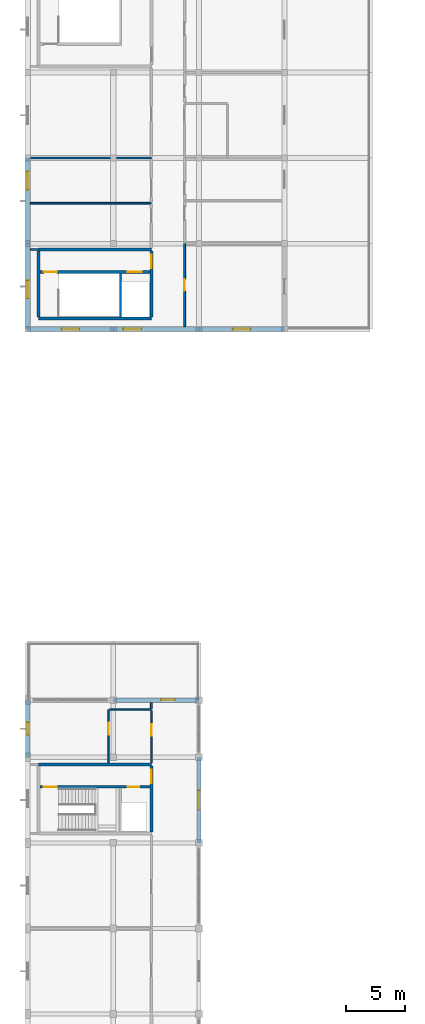
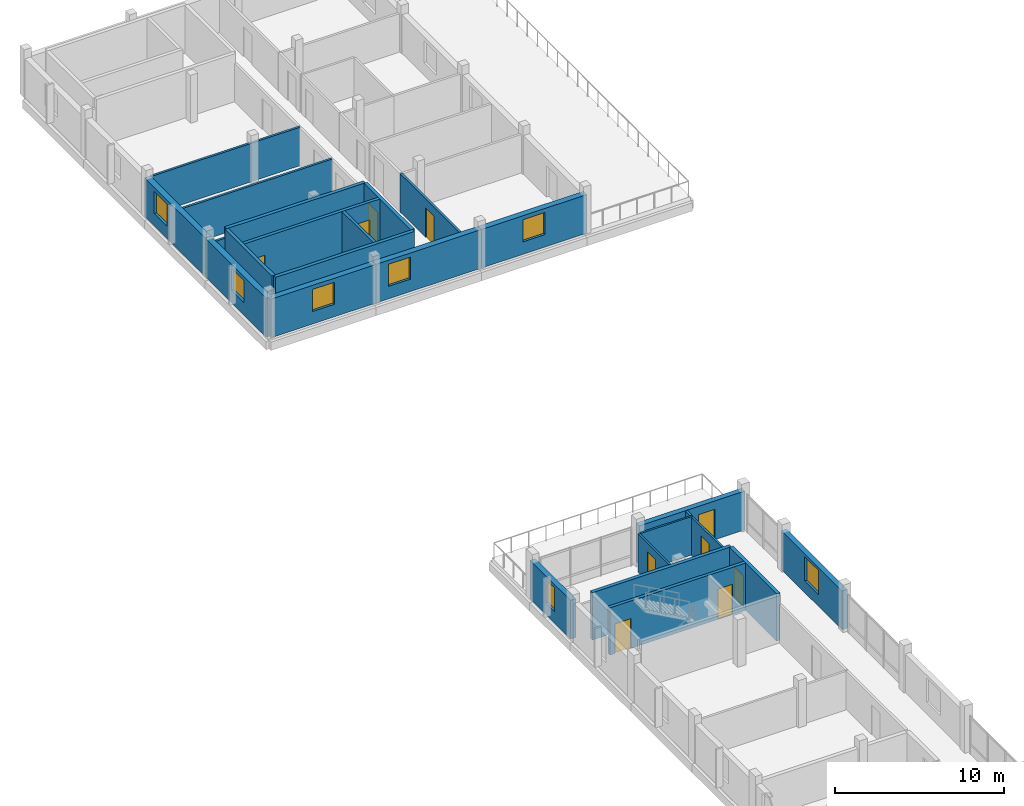
# One storey, part 56 of 66: 25 walls, 10 doors, 7 windows, 17 openings.
"""IFC4 building model written with IfcOpenShell, lengths in metres."""

from ifc_helpers import new_model, si_unit, direction, frame, frame_2d, origin, place, context, subcontext, project, spatial, rectangle, extrude, material, layer, layer_set, type_object, element, fill, save


model = new_model("IFC4")

# Units and contexts
model_context = context("Model", 3, precision=1e-05, world=origin(), true_north=direction((0.0, 1.0)))
body_context = subcontext(model_context, "Body", "Model", "MODEL_VIEW")
ifc_project = project(units=[si_unit("LENGTHUNIT", "METRE"), si_unit("AREAUNIT", "SQUARE_METRE"), si_unit("VOLUMEUNIT", "CUBIC_METRE"), si_unit("PLANEANGLEUNIT", "RADIAN"), si_unit("MASSUNIT", "GRAM", prefix="KILO")], contexts=[model_context])

# Site, building, storey
site_placement = place(None, origin())
site = spatial("IfcSite", under=ifc_project, at=site_placement, CompositionType="ELEMENT")
building_placement = place(site_placement, origin())
building = spatial("IfcBuilding", under=site, at=building_placement, Name="Zornivar Specialist Clinic", CompositionType="ELEMENT")
storey_placement = place(building_placement, frame((0.0, 0.0, 16.0)))
storey = spatial("IfcBuildingStorey", under=building, at=storey_placement, Name="L04", CompositionType="ELEMENT", Elevation=16.0)

# Wall, opening, window
ifc_material_1 = material(Name="Masonry Red-Ochre Brick and Stone Insulated Wall", Category="masonry")
ifc_layer_1 = layer(ifc_material_1, 0.360107421875)
ifc_layer_set_1 = layer_set([ifc_layer_1], Name="Masonry Red-Ochre Brick and Stone Insulated Wall")
wall_type_1 = type_object("IfcWallType", Name="EW-BRICK-360", PredefinedType="SOLIDWALL", material=ifc_layer_set_1)
wall_1_placement = place(storey_placement, frame((14.39990234375, 36.0, 0.0), z_axis=(0.0, 0.0, 1.0), x_axis=(0.0, 1.0, 0.0)))
wall_1 = element("IfcWall", 1, at=wall_1_placement, inside=storey, type_object=wall_type_1, Name="ew:V2:L04:15", PredefinedType="SOLIDWALL", context=body_context, shape_type="SweptSolid", body=[
    extrude(rectangle(XDim=7.199951171875, YDim=0.360107421875, at=frame_2d((3.60009765625, 0.0))), origin(), (0.0, 0.0, 1.0), 2.800048828125),
])
opening_1_placement = place(wall_1_placement, frame((2.77490234375, 0.0, 0.85009765625)))
opening_1 = element("IfcOpeningElement", 2, at=opening_1_placement, cuts=wall_1, Name="Opening W-09", PredefinedType="OPENING", context=body_context, shape_type="SweptSolid", body=[
    extrude(rectangle(XDim=1.64990234375, YDim=1.75, at=frame_2d((0.824951171875, 0.875))), frame((0.0, 0.18994140625, 0.0), z_axis=(0.0, -1.0, 0.0), x_axis=(1.0, 0.0, 0.0)), (0.0, 0.0, 1.0), 0.380126953125),
])
ifc_material_2 = material(Name="Triple-Glazed Aluminium-Timber Window Glass", Category="wood")
window_type_1 = type_object("IfcWindowType", Name="WIN-CUMBA-COURT-1650x1750", PartitioningType="SINGLE_PANEL", PredefinedType="WINDOW", material=ifc_material_2)
window_1_placement = place(opening_1_placement, origin())
window_1 = element("IfcWindow", 3, at=window_1_placement, inside=storey, type_object=window_type_1, Name="win:V2:L04:15", OverallHeight=1.75, OverallWidth=1.64990234375, PartitioningType="SINGLE_PANEL", PredefinedType="WINDOW", context=body_context, shape_type="SweptSolid", body=[
    extrude(rectangle(XDim=1.64990234375, YDim=1.75, at=frame_2d((0.824951171875, 0.875))), frame((0.0, 0.030029296875, 0.0), z_axis=(0.0, -1.0, 0.0), x_axis=(1.0, 0.0, 0.0)), (0.0, 0.0, 1.0), 0.06005859375),
])
fill(opening_1, window_1)

# Wall, opening, door
wall_2_placement = place(storey_placement, frame((14.39990234375, 48.0, 0.0), z_axis=(0.0, 0.0, 1.0), x_axis=(-1.0, 0.0, 0.0)))
wall_2 = element("IfcWall", 4, at=wall_2_placement, inside=storey, type_object=wall_type_1, Name="ew:V2:L04:17", PredefinedType="SOLIDWALL", context=body_context, shape_type="SweptSolid", body=[
    extrude(rectangle(XDim=7.199951171875, YDim=0.360107421875, at=frame_2d((3.60009765625, 0.0))), origin(), (0.0, 0.0, 1.0), 2.800048828125),
])
opening_2_placement = place(wall_2_placement, frame((2.02490234375, 0.0, 0.0)))
opening_2 = element("IfcOpeningElement", 5, at=opening_2_placement, cuts=wall_2, Name="Opening TD-03", PredefinedType="OPENING", context=body_context, shape_type="SweptSolid", body=[
    extrude(rectangle(XDim=1.14990234375, YDim=2.199951171875, at=frame_2d((0.574951171875, 1.10009765625))), frame((0.0, 0.18994140625, 0.0), z_axis=(0.0, -1.0, 0.0), x_axis=(1.0, 0.0, 0.0)), (0.0, 0.0, 1.0), 0.380126953125),
])
ifc_material_3 = material(Name="Thermally Broken Glazed Aluminium Door", Category="aluminium")
door_type_1 = type_object("IfcDoorType", Name="TD-TERR-1150x2200", OperationType="NOTDEFINED", PredefinedType="DOOR", material=ifc_material_3)
door_1_placement = place(opening_2_placement, origin())
door_1 = element("IfcDoor", 6, at=door_1_placement, inside=storey, type_object=door_type_1, Name="door:V2:L04:terr:0", OperationType="SINGLE_SWING_LEFT", OverallHeight=2.199951171875, OverallWidth=1.14990234375, PredefinedType="DOOR", context=body_context, shape_type="SweptSolid", body=[
    extrude(rectangle(XDim=1.14990234375, YDim=2.199951171875, at=frame_2d((0.574951171875, 1.10009765625))), frame((0.0, 0.02490234375, 0.0), z_axis=(0.0, -1.0, 0.0), x_axis=(1.0, 0.0, 0.0)), (0.0, 0.0, 1.0), 0.050048828125),
])
fill(opening_2, door_1)

# Wall, opening, window
wall_3_placement = place(storey_placement, frame((0.0, 48.0, 0.0), z_axis=(0.0, 0.0, 1.0), x_axis=(0.0, -1.0, 0.0)))
wall_3 = element("IfcWall", 7, at=wall_3_placement, inside=storey, type_object=wall_type_1, Name="ew:V2:L04:19", PredefinedType="SOLIDWALL", context=body_context, shape_type="SweptSolid", body=[
    extrude(rectangle(XDim=4.800048828125, YDim=0.360107421875, at=frame_2d((2.39990234375, 0.0))), origin(), (0.0, 0.0, 1.0), 2.800048828125),
])
opening_3_placement = place(wall_3_placement, frame((1.875, 0.0, 0.85009765625)))
opening_3 = element("IfcOpeningElement", 8, at=opening_3_placement, cuts=wall_3, Name="Opening W-10", PredefinedType="OPENING", context=body_context, shape_type="SweptSolid", body=[
    extrude(rectangle(XDim=1.050048828125, YDim=1.699951171875, at=frame_2d((0.52490234375, 0.85009765625))), frame((0.0, 0.18994140625, 0.0), z_axis=(0.0, -1.0, 0.0), x_axis=(1.0, 0.0, 0.0)), (0.0, 0.0, 1.0), 0.380126953125),
])
ifc_material_4 = material(Name="Triple-Glazed Aluminium-Timber Window Glass", Category="wood")
window_type_2 = type_object("IfcWindowType", Name="WIN-CUMBA-PIER-1050x1700", PartitioningType="SINGLE_PANEL", PredefinedType="WINDOW", material=ifc_material_4)
window_2_placement = place(opening_3_placement, origin())
window_2 = element("IfcWindow", 9, at=window_2_placement, inside=storey, type_object=window_type_2, Name="win:V2:L04:19", OverallHeight=1.699951171875, OverallWidth=1.050048828125, PartitioningType="SINGLE_PANEL", PredefinedType="WINDOW", context=body_context, shape_type="SweptSolid", body=[
    extrude(rectangle(XDim=1.050048828125, YDim=1.699951171875, at=frame_2d((0.52490234375, 0.85009765625))), frame((0.0, 0.030029296875, 0.0), z_axis=(0.0, -1.0, 0.0), x_axis=(1.0, 0.0, 0.0)), (0.0, 0.0, 1.0), 0.06005859375),
])
fill(opening_3, window_2)

ifc_material_5 = material(Name="Masonry Hygienic Insulated Procedure Wing Wall", Category="masonry")
ifc_layer_2 = layer(ifc_material_5, 0.39990234375)
ifc_layer_set_2 = layer_set([ifc_layer_2], Name="Masonry Hygienic Insulated Procedure Wing Wall")
wall_type_2 = type_object("IfcWallType", Name="EW-PROC-400", PredefinedType="SOLIDWALL", material=ifc_layer_set_2)
wall_4_placement = place(storey_placement, frame((0.0, 79.199951171875, 0.0), z_axis=(0.0, 0.0, 1.0), x_axis=(1.0, 0.0, 0.0)))
wall_4 = element("IfcWall", 10, at=wall_4_placement, inside=storey, type_object=wall_type_2, Name="ew:V5:L04:00", PredefinedType="SOLIDWALL", context=body_context, shape_type="SweptSolid", body=[
    extrude(rectangle(XDim=7.199951171875, YDim=0.39990234375, at=frame_2d((3.60009765625, 0.0))), origin(), (0.0, 0.0, 1.0), 2.7900390625),
])
opening_4_placement = place(wall_4_placement, frame((2.85009765625, 0.0, 0.89990234375)))
opening_4 = element("IfcOpeningElement", 11, at=opening_4_placement, cuts=wall_4, Name="Opening W-18", PredefinedType="OPENING", context=body_context, shape_type="SweptSolid", body=[
    extrude(rectangle(XDim=1.5, YDim=1.60009765625, at=frame_2d((0.75, 0.800048828125))), frame((0.0, 0.2099609375, 0.0), z_axis=(0.0, -1.0, 0.0), x_axis=(1.0, 0.0, 0.0)), (0.0, 0.0, 1.0), 0.419921875),
])
ifc_material_6 = material(Name="Triple-Glazed Aluminium-Timber Window Glass", Category="wood")
window_type_3 = type_object("IfcWindowType", Name="WIN-PROC-UPPER-1500x1600", PartitioningType="SINGLE_PANEL", PredefinedType="WINDOW", material=ifc_material_6)
window_3_placement = place(opening_4_placement, origin())
window_3 = element("IfcWindow", 12, at=window_3_placement, inside=storey, type_object=window_type_3, Name="win:V5:L04:00", OverallHeight=1.60009765625, OverallWidth=1.5, PartitioningType="SINGLE_PANEL", PredefinedType="WINDOW", context=body_context, shape_type="SweptSolid", body=[
    extrude(rectangle(XDim=1.5, YDim=1.60009765625, at=frame_2d((0.75, 0.800048828125))), frame((0.0, 0.030029296875, 0.0), z_axis=(0.0, -1.0, 0.0), x_axis=(1.0, 0.0, 0.0)), (0.0, 0.0, 1.0), 0.06005859375),
])
fill(opening_4, window_3)

wall_5_placement = place(storey_placement, frame((7.199951171875, 79.199951171875, 0.0), z_axis=(0.0, 0.0, 1.0), x_axis=(1.0, 0.0, 0.0)))
wall_5 = element("IfcWall", 13, at=wall_5_placement, inside=storey, type_object=wall_type_2, Name="ew:V5:L04:01", PredefinedType="SOLIDWALL", context=body_context, shape_type="SweptSolid", body=[
    extrude(rectangle(XDim=7.199951171875, YDim=0.39990234375, at=frame_2d((3.60009765625, 0.0))), origin(), (0.0, 0.0, 1.0), 2.7900390625),
])
opening_5_placement = place(wall_5_placement, frame((0.85009765625, 0.0, 0.89990234375)))
opening_5 = element("IfcOpeningElement", 14, at=opening_5_placement, cuts=wall_5, Name="Opening W-18", PredefinedType="OPENING", context=body_context, shape_type="SweptSolid", body=[
    extrude(rectangle(XDim=1.5, YDim=1.60009765625, at=frame_2d((0.75, 0.800048828125))), frame((0.0, 0.2099609375, 0.0), z_axis=(0.0, -1.0, 0.0), x_axis=(1.0, 0.0, 0.0)), (0.0, 0.0, 1.0), 0.419921875),
])
window_4_placement = place(opening_5_placement, origin())
window_4 = element("IfcWindow", 15, at=window_4_placement, inside=storey, type_object=window_type_3, Name="win:V5:L04:01", OverallHeight=1.60009765625, OverallWidth=1.5, PartitioningType="SINGLE_PANEL", PredefinedType="WINDOW", context=body_context, shape_type="SweptSolid", body=[
    extrude(rectangle(XDim=1.5, YDim=1.60009765625, at=frame_2d((0.75, 0.800048828125))), frame((0.0, 0.030029296875, 0.0), z_axis=(0.0, -1.0, 0.0), x_axis=(1.0, 0.0, 0.0)), (0.0, 0.0, 1.0), 0.06005859375),
])
fill(opening_5, window_4)

wall_6_placement = place(storey_placement, frame((14.39990234375, 79.199951171875, 0.0), z_axis=(0.0, 0.0, 1.0), x_axis=(1.0, 0.0, 0.0)))
wall_6 = element("IfcWall", 16, at=wall_6_placement, inside=storey, type_object=wall_type_2, Name="ew:V5:L04:02", PredefinedType="SOLIDWALL", context=body_context, shape_type="SweptSolid", body=[
    extrude(rectangle(XDim=7.2001953125, YDim=0.39990234375, at=frame_2d((3.60009765625, 0.0))), origin(), (0.0, 0.0, 1.0), 2.7900390625),
])
opening_6_placement = place(wall_6_placement, frame((2.85009765625, 0.0, 0.89990234375)))
opening_6 = element("IfcOpeningElement", 17, at=opening_6_placement, cuts=wall_6, Name="Opening W-18", PredefinedType="OPENING", context=body_context, shape_type="SweptSolid", body=[
    extrude(rectangle(XDim=1.5, YDim=1.60009765625, at=frame_2d((0.75, 0.800048828125))), frame((0.0, 0.2099609375, 0.0), z_axis=(0.0, -1.0, 0.0), x_axis=(1.0, 0.0, 0.0)), (0.0, 0.0, 1.0), 0.419921875),
])
window_5_placement = place(opening_6_placement, origin())
window_5 = element("IfcWindow", 18, at=window_5_placement, inside=storey, type_object=window_type_3, Name="win:V5:L04:02", OverallHeight=1.60009765625, OverallWidth=1.5, PartitioningType="SINGLE_PANEL", PredefinedType="WINDOW", context=body_context, shape_type="SweptSolid", body=[
    extrude(rectangle(XDim=1.5, YDim=1.60009765625, at=frame_2d((0.75, 0.800048828125))), frame((0.0, 0.030029296875, 0.0), z_axis=(0.0, -1.0, 0.0), x_axis=(1.0, 0.0, 0.0)), (0.0, 0.0, 1.0), 0.06005859375),
])
fill(opening_6, window_5)

wall_7_placement = place(storey_placement, frame((0.0, 93.60009765625, 0.0), z_axis=(0.0, 0.0, 1.0), x_axis=(0.0, -1.0, 0.0)))
wall_7 = element("IfcWall", 19, at=wall_7_placement, inside=storey, type_object=wall_type_2, Name="ew:V5:L04:12", PredefinedType="SOLIDWALL", context=body_context, shape_type="SweptSolid", body=[
    extrude(rectangle(XDim=7.2001953125, YDim=0.39990234375, at=frame_2d((3.60009765625, 0.0))), origin(), (0.0, 0.0, 1.0), 2.7900390625),
])
opening_7_placement = place(wall_7_placement, frame((1.14990234375, 0.0, 0.89990234375)))
opening_7 = element("IfcOpeningElement", 20, at=opening_7_placement, cuts=wall_7, Name="Opening W-18", PredefinedType="OPENING", context=body_context, shape_type="SweptSolid", body=[
    extrude(rectangle(XDim=1.5, YDim=1.60009765625, at=frame_2d((0.75, 0.800048828125))), frame((0.0, 0.2099609375, 0.0), z_axis=(0.0, -1.0, 0.0), x_axis=(1.0, 0.0, 0.0)), (0.0, 0.0, 1.0), 0.419921875),
])
window_6_placement = place(opening_7_placement, origin())
window_6 = element("IfcWindow", 21, at=window_6_placement, inside=storey, type_object=window_type_3, Name="win:V5:L04:12", OverallHeight=1.60009765625, OverallWidth=1.5, PartitioningType="SINGLE_PANEL", PredefinedType="WINDOW", context=body_context, shape_type="SweptSolid", body=[
    extrude(rectangle(XDim=1.5, YDim=1.60009765625, at=frame_2d((0.75, 0.800048828125))), frame((0.0, 0.030029296875, 0.0), z_axis=(0.0, -1.0, 0.0), x_axis=(1.0, 0.0, 0.0)), (0.0, 0.0, 1.0), 0.06005859375),
])
fill(opening_7, window_6)

wall_8_placement = place(storey_placement, frame((0.0, 86.39990234375, 0.0), z_axis=(0.0, 0.0, 1.0), x_axis=(0.0, -1.0, 0.0)))
wall_8 = element("IfcWall", 22, at=wall_8_placement, inside=storey, type_object=wall_type_2, Name="ew:V5:L04:13", PredefinedType="SOLIDWALL", context=body_context, shape_type="SweptSolid", body=[
    extrude(rectangle(XDim=7.199951171875, YDim=0.39990234375, at=frame_2d((3.60009765625, 0.0))), origin(), (0.0, 0.0, 1.0), 2.7900390625),
])
opening_8_placement = place(wall_8_placement, frame((3.10009765625, 0.0, 0.89990234375)))
opening_8 = element("IfcOpeningElement", 23, at=opening_8_placement, cuts=wall_8, Name="Opening W-18", PredefinedType="OPENING", context=body_context, shape_type="SweptSolid", body=[
    extrude(rectangle(XDim=1.5, YDim=1.60009765625, at=frame_2d((0.75, 0.800048828125))), frame((0.0, 0.2099609375, 0.0), z_axis=(0.0, -1.0, 0.0), x_axis=(1.0, 0.0, 0.0)), (0.0, 0.0, 1.0), 0.419921875),
])
window_7_placement = place(opening_8_placement, origin())
window_7 = element("IfcWindow", 24, at=window_7_placement, inside=storey, type_object=window_type_3, Name="win:V5:L04:13", OverallHeight=1.60009765625, OverallWidth=1.5, PartitioningType="SINGLE_PANEL", PredefinedType="WINDOW", context=body_context, shape_type="SweptSolid", body=[
    extrude(rectangle(XDim=1.5, YDim=1.60009765625, at=frame_2d((0.75, 0.800048828125))), frame((0.0, 0.030029296875, 0.0), z_axis=(0.0, -1.0, 0.0), x_axis=(1.0, 0.0, 0.0)), (0.0, 0.0, 1.0), 0.06005859375),
])
fill(opening_8, window_7)

# Wall
ifc_material_7 = material(Name="Gypsum Fire-Rated Double Stud Partition")
ifc_layer_3 = layer(ifc_material_7, 0.159912109375)
ifc_layer_set_3 = layer_set([ifc_layer_3], Name="Gypsum Fire-Rated Double Stud Partition")
wall_type_3 = type_object("IfcWallType", Name="IW-CORR-EI60-160", PredefinedType="PARTITIONING", material=ifc_layer_set_3)
wall_9_placement = place(storey_placement, frame((10.39990234375, 47.804931640625, 0.0), z_axis=(0.0, 0.0, 1.0), x_axis=(0.0, -1.0, 0.0)))
element("IfcWall", 25, at=wall_9_placement, inside=storey, type_object=wall_type_3, Name="iw:L04:017", PredefinedType="PARTITIONING", context=body_context, shape_type="SweptSolid", body=[
    extrude(rectangle(XDim=0.52587890625, YDim=0.159912109375, at=frame_2d((0.262939453125, 0.0))), origin(), (0.0, 0.0, 1.0), 2.780029296875),
])

# Wall, opening, door
wall_10_placement = place(storey_placement, frame((13.199951171875, 79.4150390625, 0.0), z_axis=(0.0, 0.0, 1.0), x_axis=(0.0, 1.0, 0.0)))
wall_10 = element("IfcWall", 26, at=wall_10_placement, inside=storey, type_object=wall_type_3, Name="iw:L04:041", PredefinedType="PARTITIONING", context=body_context, shape_type="SweptSolid", body=[
    extrude(rectangle(XDim=6.98486328125, YDim=0.159912109375, at=frame_2d((3.492431640625, 0.0))), origin(), (0.0, 0.0, 1.0), 2.780029296875),
])
opening_9_placement = place(wall_10_placement, frame((3.001953125, 0.0, 0.0)))
opening_9 = element("IfcOpeningElement", 27, at=opening_9_placement, cuts=wall_10, Name="Opening ID-09", PredefinedType="OPENING", context=body_context, shape_type="SweptSolid", body=[
    extrude(rectangle(XDim=0.97998046875, YDim=2.14990234375, at=frame_2d((0.489990234375, 1.074951171875))), frame((0.0, 0.08984375, 0.0), z_axis=(0.0, -1.0, 0.0), x_axis=(1.0, 0.0, 0.0)), (0.0, 0.0, 1.0), 0.179931640625),
])
ifc_material_8 = material(Name="Solid-Core Hygienic Laminate Timber Door", Category="wood")
door_type_2 = type_object("IfcDoorType", Name="ID-STAFF-0980x2150", OperationType="NOTDEFINED", PredefinedType="DOOR", material=ifc_material_8)
door_2_placement = place(opening_9_placement, origin())
door_2 = element("IfcDoor", 28, at=door_2_placement, inside=storey, type_object=door_type_2, Name="door:space:V5:L04:rm:03", OperationType="SINGLE_SWING_LEFT", OverallHeight=2.14990234375, OverallWidth=0.97998046875, PredefinedType="DOOR", context=body_context, shape_type="SweptSolid", body=[
    extrude(rectangle(XDim=0.97998046875, YDim=2.14990234375, at=frame_2d((0.489990234375, 1.074951171875))), frame((0.0, 0.02490234375, 0.0), z_axis=(0.0, -1.0, 0.0), x_axis=(1.0, 0.0, 0.0)), (0.0, 0.0, 1.0), 0.050048828125),
])
fill(opening_9, door_2)

# Walls
ifc_material_9 = material(Name="Hygienic Lead-Free Procedure Partition")
ifc_layer_4 = layer(ifc_material_9, 0.14990234375)
ifc_layer_set_4 = layer_set([ifc_layer_4], Name="Hygienic Lead-Free Procedure Partition")
wall_type_4 = type_object("IfcWallType", Name="IW-PROC-150", PredefinedType="PARTITIONING", material=ifc_layer_set_4)
wall_11_placement = place(storey_placement, frame((0.215087890625, 89.800048828125, 0.0), z_axis=(0.0, 0.0, 1.0), x_axis=(1.0, 0.0, 0.0)))
element("IfcWall", 29, at=wall_11_placement, inside=storey, type_object=wall_type_4, Name="iw:L04:034", PredefinedType="PARTITIONING", context=body_context, shape_type="SweptSolid", body=[
    extrude(rectangle(XDim=10.184814453125, YDim=0.14990234375, at=frame_2d((5.09228515625, 0.0))), origin(), (0.0, 0.0, 1.0), 2.780029296875),
])
wall_12_placement = place(storey_placement, frame((0.89990234375, 85.89990234375, 0.0), z_axis=(0.0, 0.0, 1.0), x_axis=(-1.0, 0.0, 0.0)))
element("IfcWall", 30, at=wall_12_placement, inside=storey, type_object=wall_type_4, Name="iw:L04:036", PredefinedType="PARTITIONING", context=body_context, shape_type="SweptSolid", body=[
    extrude(rectangle(XDim=0.684814453125, YDim=0.14990234375, at=frame_2d((0.34228515625, 0.0))), origin(), (0.0, 0.0, 1.0), 2.780029296875),
])
wall_13_placement = place(storey_placement, frame((0.215087890625, 93.60009765625, 0.0), z_axis=(0.0, 0.0, 1.0), x_axis=(1.0, 0.0, 0.0)))
element("IfcWall", 31, at=wall_13_placement, inside=storey, type_object=wall_type_4, Name="iw:L04:037", PredefinedType="PARTITIONING", context=body_context, shape_type="SweptSolid", body=[
    extrude(rectangle(XDim=10.184814453125, YDim=0.14990234375, at=frame_2d((5.09228515625, 0.0))), origin(), (0.0, 0.0, 1.0), 2.780029296875),
])

# Wall, opening, door
ifc_material_10 = material(Name="Moisture-Resistant Sanitary Partition")
ifc_layer_5 = layer(ifc_material_10, 0.1298828125)
ifc_layer_set_5 = layer_set([ifc_layer_5], Name="Moisture-Resistant Sanitary Partition")
wall_type_5 = type_object("IfcWallType", Name="IW-WET-130", PredefinedType="PARTITIONING", material=ifc_layer_set_5)
wall_14_placement = place(storey_placement, frame((6.800048828125, 42.735107421875, 0.0), z_axis=(0.0, 0.0, 1.0), x_axis=(0.0, 1.0, 0.0)))
wall_14 = element("IfcWall", 32, at=wall_14_placement, inside=storey, type_object=wall_type_5, Name="iw:L04:013", PredefinedType="PARTITIONING", context=body_context, shape_type="SweptSolid", body=[
    extrude(rectangle(XDim=4.46484375, YDim=0.1298828125, at=frame_2d((2.232421875, 0.0))), origin(), (0.0, 0.0, 1.0), 2.780029296875),
])
opening_10_placement = place(wall_14_placement, frame((2.3740234375, 0.0, 0.0)))
opening_10 = element("IfcOpeningElement", 33, at=opening_10_placement, cuts=wall_14, Name="Opening ID-09", PredefinedType="OPENING", context=body_context, shape_type="SweptSolid", body=[
    extrude(rectangle(XDim=0.97998046875, YDim=2.14990234375, at=frame_2d((0.489990234375, 1.074951171875))), frame((0.0, 0.074951171875, 0.0), z_axis=(0.0, -1.0, 0.0), x_axis=(1.0, 0.0, 0.0)), (0.0, 0.0, 1.0), 0.14990234375),
])
door_3_placement = place(opening_10_placement, origin())
door_3 = element("IfcDoor", 34, at=door_3_placement, inside=storey, type_object=door_type_2, Name="door:space:V2:L04:rm:05b", OperationType="SINGLE_SWING_LEFT", OverallHeight=2.14990234375, OverallWidth=0.97998046875, PredefinedType="DOOR", context=body_context, shape_type="SweptSolid", body=[
    extrude(rectangle(XDim=0.97998046875, YDim=2.14990234375, at=frame_2d((0.489990234375, 1.074951171875))), frame((0.0, 0.02490234375, 0.0), z_axis=(0.0, -1.0, 0.0), x_axis=(1.0, 0.0, 0.0)), (0.0, 0.0, 1.0), 0.050048828125),
])
fill(opening_10, door_3)

# Wall
wall_15_placement = place(storey_placement, frame((6.87890625, 47.199951171875, 0.0), z_axis=(0.0, 0.0, 1.0), x_axis=(1.0, 0.0, 0.0)))
element("IfcWall", 35, at=wall_15_placement, inside=storey, type_object=wall_type_5, Name="iw:L04:014", PredefinedType="PARTITIONING", context=body_context, shape_type="SweptSolid", body=[
    extrude(rectangle(XDim=3.52099609375, YDim=0.1298828125, at=frame_2d((1.760498046875, 0.0))), origin(), (0.0, 0.0, 1.0), 2.780029296875),
])

# Wall, opening, door
wall_16_placement = place(storey_placement, frame((10.39990234375, 47.12109375, 0.0), z_axis=(0.0, 0.0, 1.0), x_axis=(0.0, -1.0, 0.0)))
wall_16 = element("IfcWall", 36, at=wall_16_placement, inside=storey, type_object=wall_type_5, Name="iw:L04:015", PredefinedType="PARTITIONING", context=body_context, shape_type="SweptSolid", body=[
    extrude(rectangle(XDim=4.385986328125, YDim=0.1298828125, at=frame_2d((2.19287109375, 0.0))), origin(), (0.0, 0.0, 1.0), 2.780029296875),
])
opening_11_placement = place(wall_16_placement, frame((1.155029296875, 0.0, 0.0)))
opening_11 = element("IfcOpeningElement", 37, at=opening_11_placement, cuts=wall_16, Name="Opening ID-07", PredefinedType="OPENING", context=body_context, shape_type="SweptSolid", body=[
    extrude(rectangle(XDim=0.949951171875, YDim=2.10009765625, at=frame_2d((0.47509765625, 1.050048828125))), frame((0.0, 0.074951171875, 0.0), z_axis=(0.0, -1.0, 0.0), x_axis=(1.0, 0.0, 0.0)), (0.0, 0.0, 1.0), 0.14990234375),
])
ifc_material_11 = material(Name="Solid-Core Hygienic Laminate Timber Door", Category="wood")
door_type_3 = type_object("IfcDoorType", Name="ID-WC-ACC-0950x2100", OperationType="NOTDEFINED", PredefinedType="DOOR", material=ifc_material_11)
door_4_placement = place(opening_11_placement, origin())
door_4 = element("IfcDoor", 38, at=door_4_placement, inside=storey, type_object=door_type_3, Name="door:space:V2:L04:rm:05", OperationType="SINGLE_SWING_RIGHT", OverallHeight=2.10009765625, OverallWidth=0.949951171875, PredefinedType="DOOR", context=body_context, shape_type="SweptSolid", body=[
    extrude(rectangle(XDim=0.949951171875, YDim=2.10009765625, at=frame_2d((0.47509765625, 1.050048828125))), frame((0.0, 0.02490234375, 0.0), z_axis=(0.0, -1.0, 0.0), x_axis=(1.0, 0.0, 0.0)), (0.0, 0.0, 1.0), 0.050048828125),
])
fill(opening_11, door_4)

ifc_material_12 = material(Name="Concrete C35/45", Category="concrete")
ifc_layer_6 = layer(ifc_material_12, 0.239990234375)
ifc_layer_set_6 = layer_set([ifc_layer_6], Name="Concrete C35/45")
wall_type_6 = type_object("IfcWallType", Name="SW-CORE-240", PredefinedType="SHEAR", material=ifc_layer_set_6)
wall_17_placement = place(storey_placement, frame((10.39990234375, 36.919921875, 0.0), z_axis=(0.0, 0.0, 1.0), x_axis=(0.0, 1.0, 0.0)))
wall_17 = element("IfcWall", 39, at=wall_17_placement, inside=storey, type_object=wall_type_6, Name="sw:C2:L04:w1", PredefinedType="SHEAR", context=body_context, shape_type="SweptSolid", body=[
    extrude(rectangle(XDim=5.56005859375, YDim=0.239990234375, at=frame_2d((2.780029296875, 0.0))), origin(), (0.0, 0.0, 1.0), 3.419921875),
])
opening_12_placement = place(wall_17_placement, frame((4.090087890625, 0.0, 0.0)))
opening_12 = element("IfcOpeningElement", 40, at=opening_12_placement, cuts=wall_17, Name="Opening FD-03", PredefinedType="OPENING", context=body_context, shape_type="SweptSolid", body=[
    extrude(rectangle(XDim=1.14990234375, YDim=2.199951171875, at=frame_2d((0.574951171875, 1.10009765625))), frame((0.0, 0.1298828125, 0.0), z_axis=(0.0, -1.0, 0.0), x_axis=(1.0, 0.0, 0.0)), (0.0, 0.0, 1.0), 0.260009765625),
])
ifc_material_13 = material(Name="Solid-Core Hygienic Laminate Timber Door", Category="wood")
door_type_4 = type_object("IfcDoorType", Name="FD-LOBBY-UPPER-1150x2200", OperationType="NOTDEFINED", PredefinedType="DOOR", material=ifc_material_13)
door_5_placement = place(opening_12_placement, origin())
door_5 = element("IfcDoor", 41, at=door_5_placement, inside=storey, type_object=door_type_4, Name="door:C2:L04:lob", OperationType="SINGLE_SWING_RIGHT", OverallHeight=2.199951171875, OverallWidth=1.14990234375, PredefinedType="DOOR", context=body_context, shape_type="SweptSolid", body=[
    extrude(rectangle(XDim=1.14990234375, YDim=2.199951171875, at=frame_2d((0.574951171875, 1.10009765625))), frame((0.0, 0.02490234375, 0.0), z_axis=(0.0, -1.0, 0.0), x_axis=(1.0, 0.0, 0.0)), (0.0, 0.0, 1.0), 0.050048828125),
])
fill(opening_12, door_5)

# Walls
wall_18_placement = place(storey_placement, frame((10.39990234375, 42.60009765625, 0.0), z_axis=(0.0, 0.0, 1.0), x_axis=(-1.0, 0.0, 0.0)))
element("IfcWall", 42, at=wall_18_placement, inside=storey, type_object=wall_type_6, Name="sw:C2:L04:w2", PredefinedType="SHEAR", context=body_context, shape_type="SweptSolid", body=[
    extrude(rectangle(XDim=9.5, YDim=0.239990234375, at=frame_2d((4.75, 0.0))), origin(), (0.0, 0.0, 1.0), 3.419921875),
])
wall_19_placement = place(storey_placement, frame((0.89990234375, 80.10009765625, 0.0), z_axis=(0.0, 0.0, 1.0), x_axis=(1.0, 0.0, 0.0)))
element("IfcWall", 43, at=wall_19_placement, inside=storey, type_object=wall_type_6, Name="sw:C7:L04:w0", PredefinedType="SHEAR", context=body_context, shape_type="SweptSolid", body=[
    extrude(rectangle(XDim=9.5, YDim=0.239990234375, at=frame_2d((4.75, 0.0))), origin(), (0.0, 0.0, 1.0), 3.4599609375),
])

# Wall, opening, door
wall_20_placement = place(storey_placement, frame((10.39990234375, 80.219970703125, 0.0), z_axis=(0.0, 0.0, 1.0), x_axis=(0.0, 1.0, 0.0)))
wall_20 = element("IfcWall", 44, at=wall_20_placement, inside=storey, type_object=wall_type_6, Name="sw:C7:L04:w1", PredefinedType="SHEAR", context=body_context, shape_type="SweptSolid", body=[
    extrude(rectangle(XDim=5.56005859375, YDim=0.239990234375, at=frame_2d((2.780029296875, 0.0))), origin(), (0.0, 0.0, 1.0), 3.4599609375),
])
opening_13_placement = place(wall_20_placement, frame((4.090087890625, 0.0, 0.0)))
opening_13 = element("IfcOpeningElement", 45, at=opening_13_placement, cuts=wall_20, Name="Opening FD-03", PredefinedType="OPENING", context=body_context, shape_type="SweptSolid", body=[
    extrude(rectangle(XDim=1.14990234375, YDim=2.199951171875, at=frame_2d((0.574951171875, 1.10009765625))), frame((0.0, 0.1298828125, 0.0), z_axis=(0.0, -1.0, 0.0), x_axis=(1.0, 0.0, 0.0)), (0.0, 0.0, 1.0), 0.260009765625),
])
door_6_placement = place(opening_13_placement, origin())
door_6 = element("IfcDoor", 46, at=door_6_placement, inside=storey, type_object=door_type_4, Name="door:C7:L04:lob", OperationType="SINGLE_SWING_RIGHT", OverallHeight=2.199951171875, OverallWidth=1.14990234375, PredefinedType="DOOR", context=body_context, shape_type="SweptSolid", body=[
    extrude(rectangle(XDim=1.14990234375, YDim=2.199951171875, at=frame_2d((0.574951171875, 1.10009765625))), frame((0.0, 0.02490234375, 0.0), z_axis=(0.0, -1.0, 0.0), x_axis=(1.0, 0.0, 0.0)), (0.0, 0.0, 1.0), 0.050048828125),
])
fill(opening_13, door_6)

# Walls
wall_21_placement = place(storey_placement, frame((10.39990234375, 85.89990234375, 0.0), z_axis=(0.0, 0.0, 1.0), x_axis=(-1.0, 0.0, 0.0)))
element("IfcWall", 47, at=wall_21_placement, inside=storey, type_object=wall_type_6, Name="sw:C7:L04:w2", PredefinedType="SHEAR", context=body_context, shape_type="SweptSolid", body=[
    extrude(rectangle(XDim=9.5, YDim=0.239990234375, at=frame_2d((4.75, 0.0))), origin(), (0.0, 0.0, 1.0), 3.4599609375),
])
wall_22_placement = place(storey_placement, frame((0.89990234375, 85.780029296875, 0.0), z_axis=(0.0, 0.0, 1.0), x_axis=(0.0, -1.0, 0.0)))
element("IfcWall", 48, at=wall_22_placement, inside=storey, type_object=wall_type_6, Name="sw:C7:L04:w3", PredefinedType="SHEAR", context=body_context, shape_type="SweptSolid", body=[
    extrude(rectangle(XDim=5.56005859375, YDim=0.239990234375, at=frame_2d((2.780029296875, 0.0))), origin(), (0.0, 0.0, 1.0), 3.4599609375),
])
ifc_material_14 = material(Name="Concrete C30/37", Category="concrete")
ifc_layer_7 = layer(ifc_material_14, 0.199951171875)
ifc_layer_set_7 = layer_set([ifc_layer_7], Name="Concrete C30/37")
wall_type_7 = type_object("IfcWallType", Name="SW-LIFT-200", PredefinedType="SHEAR", material=ifc_layer_set_7)
wall_23_placement = place(storey_placement, frame((7.800048828125, 80.219970703125, 0.0), z_axis=(0.0, 0.0, 1.0), x_axis=(0.0, 1.0, 0.0)))
element("IfcWall", 49, at=wall_23_placement, inside=storey, type_object=wall_type_7, Name="sw:C7:L04:sdiv", PredefinedType="SHEAR", context=body_context, shape_type="SweptSolid", body=[
    extrude(rectangle(XDim=3.679931640625, YDim=0.199951171875, at=frame_2d((1.83984375, 0.0))), origin(), (0.0, 0.0, 1.0), 3.4599609375),
])

# Wall, openings, doors
ifc_material_15 = material(Name="Concrete C30/37", Category="concrete")
ifc_layer_8 = layer(ifc_material_15, 0.219970703125)
ifc_layer_set_8 = layer_set([ifc_layer_8], Name="Concrete C30/37")
wall_type_8 = type_object("IfcWallType", Name="SW-SHAFT-220", PredefinedType="SHEAR", material=ifc_layer_set_8)
wall_24_placement = place(storey_placement, frame((1.02001953125, 40.7099609375, 0.0), z_axis=(0.0, 0.0, 1.0), x_axis=(1.0, 0.0, 0.0)))
wall_24 = element("IfcWall", 50, at=wall_24_placement, inside=storey, type_object=wall_type_8, Name="sw:C2:L04:stwall", PredefinedType="SHEAR", context=body_context, shape_type="SweptSolid", body=[
    extrude(rectangle(XDim=9.260009765625, YDim=0.219970703125, at=frame_2d((4.6298828125, 0.0))), origin(), (0.0, 0.0, 1.0), 3.419921875),
])
opening_14_placement = place(wall_24_placement, frame((0.330078125, 0.0, 0.0)))
opening_14 = element("IfcOpeningElement", 51, at=opening_14_placement, cuts=wall_24, Name="Opening FD-02", PredefinedType="OPENING", context=body_context, shape_type="SweptSolid", body=[
    extrude(rectangle(XDim=1.10009765625, YDim=2.14990234375, at=frame_2d((0.550048828125, 1.074951171875))), frame((0.0, 0.119873046875, 0.0), z_axis=(0.0, -1.0, 0.0), x_axis=(1.0, 0.0, 0.0)), (0.0, 0.0, 1.0), 0.239990234375),
])
opening_15_placement = place(wall_24_placement, frame((7.3798828125, 0.0, 0.0)))
opening_15 = element("IfcOpeningElement", 52, at=opening_15_placement, cuts=wall_24, Name="Opening LD-02", PredefinedType="OPENING", context=body_context, shape_type="SweptSolid", body=[
    extrude(rectangle(XDim=1.0, YDim=2.199951171875, at=frame_2d((0.5, 1.10009765625))), frame((0.0, 0.119873046875, 0.0), z_axis=(0.0, -1.0, 0.0), x_axis=(1.0, 0.0, 0.0)), (0.0, 0.0, 1.0), 0.239990234375),
])
ifc_material_16 = material(Name="Solid-Core Hygienic Laminate Timber Door", Category="wood")
door_type_5 = type_object("IfcDoorType", Name="FD-STAIR-1100x2150", OperationType="NOTDEFINED", PredefinedType="DOOR", material=ifc_material_16)
door_7_placement = place(opening_14_placement, origin())
door_7 = element("IfcDoor", 53, at=door_7_placement, inside=storey, type_object=door_type_5, Name="door:C2:L04:stair", OperationType="SINGLE_SWING_LEFT", OverallHeight=2.14990234375, OverallWidth=1.10009765625, PredefinedType="DOOR", context=body_context, shape_type="SweptSolid", body=[
    extrude(rectangle(XDim=1.10009765625, YDim=2.14990234375, at=frame_2d((0.550048828125, 1.074951171875))), frame((0.0, 0.02490234375, 0.0), z_axis=(0.0, -1.0, 0.0), x_axis=(1.0, 0.0, 0.0)), (0.0, 0.0, 1.0), 0.050048828125),
])
fill(opening_14, door_7)
ifc_material_17 = material(Name="Stainless Steel Lift Landing Sliding Door", Category="steel")
door_type_6 = type_object("IfcDoorType", Name="LD-LIFT-1000x2200", OperationType="NOTDEFINED", PredefinedType="DOOR", material=ifc_material_17)
door_8_placement = place(opening_15_placement, origin())
door_8 = element("IfcDoor", 54, at=door_8_placement, inside=storey, type_object=door_type_6, Name="door:C2:L04:lift", OperationType="DOUBLE_DOOR_SLIDING", OverallHeight=2.199951171875, OverallWidth=1.0, PredefinedType="DOOR", context=body_context, shape_type="SweptSolid", body=[
    extrude(rectangle(XDim=1.0, YDim=2.199951171875, at=frame_2d((0.5, 1.10009765625))), frame((0.0, 0.02490234375, 0.0), z_axis=(0.0, -1.0, 0.0), x_axis=(1.0, 0.0, 0.0)), (0.0, 0.0, 1.0), 0.050048828125),
])
fill(opening_15, door_8)

wall_25_placement = place(storey_placement, frame((1.02001953125, 84.010009765625, 0.0), z_axis=(0.0, 0.0, 1.0), x_axis=(1.0, 0.0, 0.0)))
wall_25 = element("IfcWall", 55, at=wall_25_placement, inside=storey, type_object=wall_type_8, Name="sw:C7:L04:stwall", PredefinedType="SHEAR", context=body_context, shape_type="SweptSolid", body=[
    extrude(rectangle(XDim=9.260009765625, YDim=0.219970703125, at=frame_2d((4.6298828125, 0.0))), origin(), (0.0, 0.0, 1.0), 3.4599609375),
])
opening_16_placement = place(wall_25_placement, frame((0.330078125, 0.0, 0.0)))
opening_16 = element("IfcOpeningElement", 56, at=opening_16_placement, cuts=wall_25, Name="Opening FD-02", PredefinedType="OPENING", context=body_context, shape_type="SweptSolid", body=[
    extrude(rectangle(XDim=1.10009765625, YDim=2.14990234375, at=frame_2d((0.550048828125, 1.074951171875))), frame((0.0, 0.119873046875, 0.0), z_axis=(0.0, -1.0, 0.0), x_axis=(1.0, 0.0, 0.0)), (0.0, 0.0, 1.0), 0.239990234375),
])
opening_17_placement = place(wall_25_placement, frame((7.3798828125, 0.0, 0.0)))
opening_17 = element("IfcOpeningElement", 57, at=opening_17_placement, cuts=wall_25, Name="Opening LD-01", PredefinedType="OPENING", context=body_context, shape_type="SweptSolid", body=[
    extrude(rectangle(XDim=1.199951171875, YDim=2.199951171875, at=frame_2d((0.60009765625, 1.10009765625))), frame((0.0, 0.119873046875, 0.0), z_axis=(0.0, -1.0, 0.0), x_axis=(1.0, 0.0, 0.0)), (0.0, 0.0, 1.0), 0.239990234375),
])
door_9_placement = place(opening_16_placement, origin())
door_9 = element("IfcDoor", 58, at=door_9_placement, inside=storey, type_object=door_type_5, Name="door:C7:L04:stair", OperationType="SINGLE_SWING_LEFT", OverallHeight=2.14990234375, OverallWidth=1.10009765625, PredefinedType="DOOR", context=body_context, shape_type="SweptSolid", body=[
    extrude(rectangle(XDim=1.10009765625, YDim=2.14990234375, at=frame_2d((0.550048828125, 1.074951171875))), frame((0.0, 0.02490234375, 0.0), z_axis=(0.0, -1.0, 0.0), x_axis=(1.0, 0.0, 0.0)), (0.0, 0.0, 1.0), 0.050048828125),
])
fill(opening_16, door_9)
ifc_material_18 = material(Name="Stainless Steel Lift Landing Sliding Door", Category="steel")
door_type_7 = type_object("IfcDoorType", Name="LD-LIFT-1200x2200", OperationType="NOTDEFINED", PredefinedType="DOOR", material=ifc_material_18)
door_10_placement = place(opening_17_placement, origin())
door_10 = element("IfcDoor", 59, at=door_10_placement, inside=storey, type_object=door_type_7, Name="door:C7:L04:lift", OperationType="DOUBLE_DOOR_SLIDING", OverallHeight=2.199951171875, OverallWidth=1.199951171875, PredefinedType="DOOR", context=body_context, shape_type="SweptSolid", body=[
    extrude(rectangle(XDim=1.199951171875, YDim=2.199951171875, at=frame_2d((0.60009765625, 1.10009765625))), frame((0.0, 0.02490234375, 0.0), z_axis=(0.0, -1.0, 0.0), x_axis=(1.0, 0.0, 0.0)), (0.0, 0.0, 1.0), 0.050048828125),
])
fill(opening_17, door_10)

save(model, "model.ifc")
